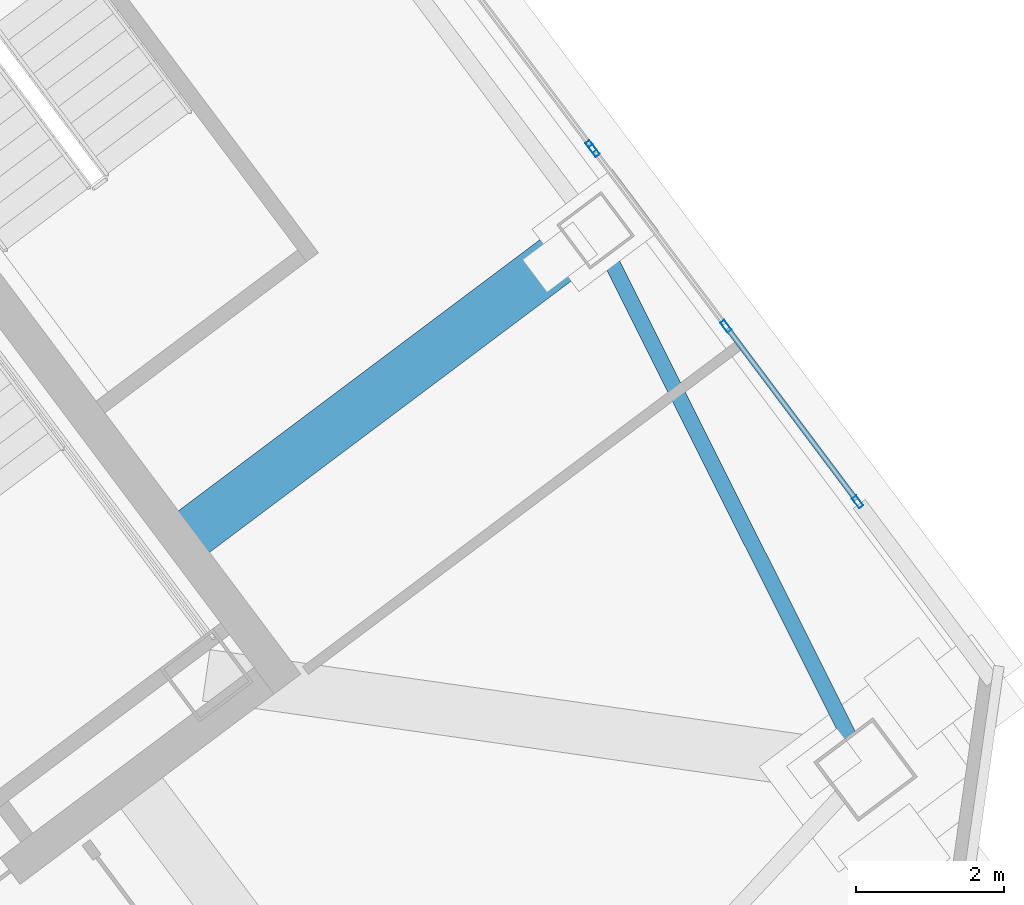
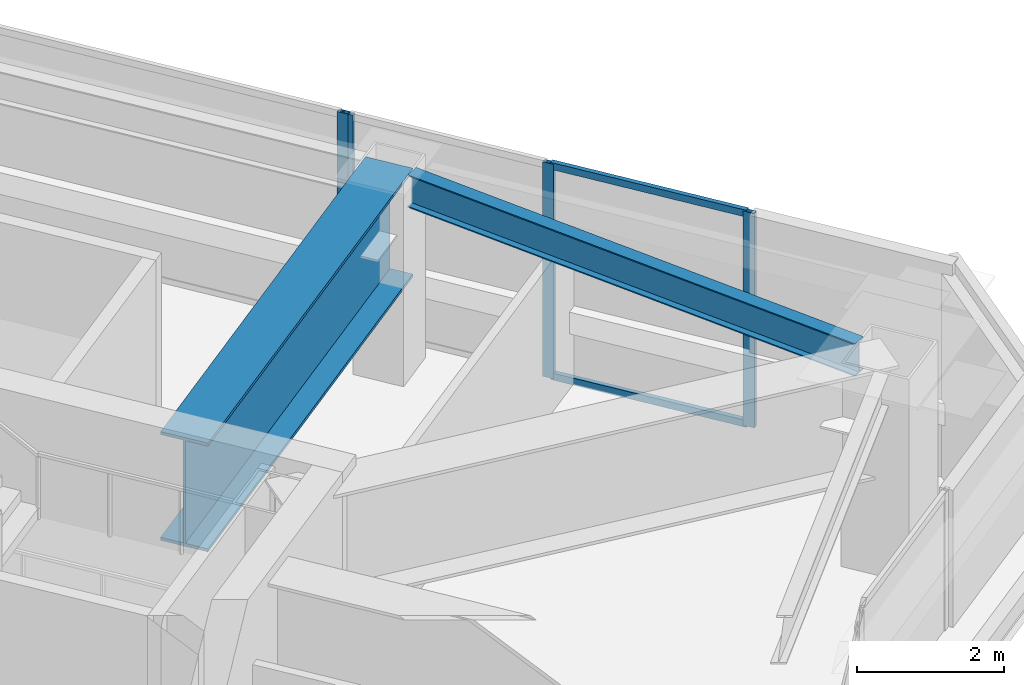
# One storey, part 24 of 40: 6 members, 2 beams, 2 elements without a shape of their own.
"""IFC4 building model written with IfcOpenShell, lengths in metres."""

import ifcopenshell
import ifcopenshell.guid

model = None  # the IFC model being written
_history = None  # IfcOwnerHistory: only IFC2X3 demands one
_inside = {}  # id of a spatial element -> (the spatial element, [elements in it])
_under = {}  # id of a project, library or spatial element -> (it, [spatial elements below it])
_declared = {}  # id of a project -> (the project, [libraries it declares])
_typed = {}  # id of a type object -> (the type object, [elements of that type])
_made_of = {}  # id of a material, layer set ... -> (it, [elements and type objects made of it])


def new_model(schema):
    """Start an empty IFC model of exactly this schema.

    Asked for "IFC4X3", IfcOpenShell would pick the latest addendum, in which some entities
    have other attributes; the version numbers below select the first issue.
    IFC2X3 requires an IfcOwnerHistory on every rooted entity: one is made here for all.
    """
    global model, _history
    if schema == "IFC4X3":
        model = ifcopenshell.file(schema_version=(4, 3, 0, 0))
    else:
        model = ifcopenshell.file(schema=schema)
    _inside.clear()
    _under.clear()
    _declared.clear()
    _typed.clear()
    _made_of.clear()
    _history = None
    if model.schema == "IFC2X3":
        org = make("IfcOrganization", Name="unknown")
        user = make(
            "IfcPersonAndOrganization",
            ThePerson=make("IfcPerson", FamilyName="unknown"),
            TheOrganization=org,
        )
        app = make(
            "IfcApplication",
            ApplicationDeveloper=org,
            Version="unknown",
            ApplicationFullName="unknown",
            ApplicationIdentifier="unknown",
        )
        _history = make(
            "IfcOwnerHistory",
            OwningUser=user,
            OwningApplication=app,
            ChangeAction="ADDED",
            CreationDate=0,
        )
    return model


def make(cls, **values):
    """One entity of the class cls with the attributes given. An attribute that is None is left unset."""
    return model.create_entity(
        cls, **{name: value for name, value in values.items() if value is not None}
    )


def rooted(cls, **values):
    """An entity with a GlobalId (a new one), such as an element, a storey or a relation."""
    return make(cls, GlobalId=ifcopenshell.guid.new(), OwnerHistory=_history, **values)


def si_unit(unit_type, name, prefix=None):
    """IfcSIUnit, for example si_unit("LENGTHUNIT", "METRE", prefix="MILLI")."""
    return make("IfcSIUnit", UnitType=unit_type, Prefix=prefix, Name=name)


def assignment(units):
    """IfcUnitAssignment: the units of a project."""
    return None if units is None else make("IfcUnitAssignment", Units=units)


def point(xyz):
    """IfcCartesianPoint."""
    return None if xyz is None else make("IfcCartesianPoint", Coordinates=xyz)


def direction(xyz):
    """IfcDirection."""
    return None if xyz is None else make("IfcDirection", DirectionRatios=xyz)


def frame(location, z_axis=None, x_axis=None):
    """IfcAxis2Placement3D, a coordinate frame: its origin and axes. An axis left out is left unset."""
    return make(
        "IfcAxis2Placement3D",
        Location=point(location),
        Axis=direction(z_axis),
        RefDirection=direction(x_axis),
    )


def frame_2d(location, x_axis=None):
    """IfcAxis2Placement2D, a coordinate frame in the plane: its origin and x axis."""
    return make(
        "IfcAxis2Placement2D", Location=point(location), RefDirection=direction(x_axis)
    )


def origin():
    """The frame at (0, 0, 0) with its axes left unset."""
    return frame((0.0, 0.0, 0.0))


def origin_2d():
    """The frame at (0, 0) in the plane with its x axis left unset."""
    return frame_2d((0.0, 0.0))


def place(relative_to, where):
    """IfcLocalPlacement: puts the frame where relative to a parent placement (None: the world)."""
    return make(
        "IfcLocalPlacement", PlacementRelTo=relative_to, RelativePlacement=where
    )


def context(
    kind, dimensions, precision=None, world=None, true_north=None, identifier=None
):
    """IfcGeometricRepresentationContext, for example the 3D "Model" context."""
    return make(
        "IfcGeometricRepresentationContext",
        ContextIdentifier=identifier,
        ContextType=kind,
        CoordinateSpaceDimension=dimensions,
        Precision=precision,
        WorldCoordinateSystem=world,
        TrueNorth=true_north,
    )


def subcontext(parent, identifier, kind, view, scale=None):
    """IfcGeometricRepresentationSubContext, for example "Body" below "Model"."""
    return make(
        "IfcGeometricRepresentationSubContext",
        ContextIdentifier=identifier,
        ContextType=kind,
        ParentContext=parent,
        TargetScale=scale,
        TargetView=view,
    )


def project(units=None, contexts=None):
    """IfcProject with its units and contexts."""
    return rooted(
        "IfcProject",
        Name="project",
        RepresentationContexts=contexts,
        UnitsInContext=assignment(units),
    )


def spatial(cls, under=None, at=None, **own):
    """A site, building, storey or space (cls), placed at a placement, below another one or the project."""
    s = rooted(cls, ObjectPlacement=at, **own)
    if under is not None:
        _under.setdefault(under.id(), (under, []))[1].append(s)
    return s


def profile(cls, at=None, kind="AREA", **sizes):
    """A parametric profile (cls). Its sizes go by their IFC names, for example OverallWidth=200.0."""
    return make(cls, ProfileType=kind, Position=at, **sizes)


def hollow_rectangle(**sizes):
    """IfcRectangleHollowProfileDef."""
    return profile("IfcRectangleHollowProfileDef", **sizes)


def i_section(**sizes):
    """IfcIShapeProfileDef."""
    return profile("IfcIShapeProfileDef", **sizes)


def extrude(swept, where, along, depth):
    """IfcExtrudedAreaSolid: the profile swept, set in the frame where, extruded along a direction by depth."""
    return make(
        "IfcExtrudedAreaSolid",
        SweptArea=swept,
        Position=where,
        ExtrudedDirection=direction(along),
        Depth=depth,
    )


def shape(context_of_items, identifier, shape_type, items):
    """IfcShapeRepresentation: the items that make up one representation, for example the "Body"."""
    return make(
        "IfcShapeRepresentation",
        ContextOfItems=context_of_items,
        RepresentationIdentifier=identifier,
        RepresentationType=shape_type,
        Items=items,
    )


def material(Name=None, Category=None):
    """IfcMaterial."""
    return make("IfcMaterial", Name=Name, Category=Category)


def material_profile(
    of_material, cross_section, Name=None, Category=None, Priority=None
):
    """IfcMaterialProfile: a cross section and its material."""
    return make(
        "IfcMaterialProfile",
        Name=Name,
        Material=of_material,
        Profile=cross_section,
        Priority=Priority,
        Category=Category,
    )


def profile_set(profiles, Name=None, composite=None):
    """IfcMaterialProfileSet."""
    return make(
        "IfcMaterialProfileSet",
        Name=Name,
        MaterialProfiles=profiles,
        CompositeProfile=composite,
    )


def made_of(thing, what):
    """Note that an element or type object is made of a material, layer set ...; save() writes the relation."""
    if what is not None:
        _made_of.setdefault(what.id(), (what, []))[1].append(thing)
    return thing


def type_object(cls, material=None, **own):
    """A type object (cls), such as IfcWallType, which elements share."""
    return made_of(rooted(cls, **own), material)


def element(
    cls,
    number,
    at=None,
    inside=None,
    cuts=None,
    type_object=None,
    material=None,
    context=None,
    identifier="Body",
    shape_type=None,
    held_by="IfcProductDefinitionShape",
    body=None,
    shapes=None,
    **own,
):
    """One element of the class cls, such as IfcWall. Its Tag is "e" and its number.

    at: its placement. inside: the storey or other place that contains it. cuts: it is an
    opening in that element (IfcRelVoidsElement). A single representation is given by context,
    identifier, shape_type and body (its items); several are given by shapes. held_by: the class
    of the entity that holds the representations. save() writes the other relations.
    """
    e = rooted(cls, Tag="e%d" % number, ObjectPlacement=at, **own)
    if body is not None:
        shapes = [shape(context, identifier, shape_type, body)]
    if shapes is not None:
        e.Representation = make(held_by, Representations=shapes)
    if inside is not None:
        _inside.setdefault(inside.id(), (inside, []))[1].append(e)
    if cuts is not None:
        rooted(
            "IfcRelVoidsElement", RelatingBuildingElement=cuts, RelatedOpeningElement=e
        )
    if type_object is not None:
        _typed.setdefault(type_object.id(), (type_object, []))[1].append(e)
    return made_of(e, material)


def aggregate(whole, parts):
    """IfcRelAggregates: a whole, such as a stair, and the parts it consists of."""
    return rooted("IfcRelAggregates", RelatingObject=whole, RelatedObjects=parts)


def save(model, path):
    """Write the relations noted so far, then the file.

    IfcRelAggregates (storeys below a building ...), IfcRelContainedInSpatialStructure (elements
    in a storey), IfcRelDefinesByType, IfcRelAssociatesMaterial and IfcRelDeclares: one each for
    every whole, place, type object, material and project.
    """
    for whole, parts in _under.values():
        aggregate(whole, parts)
    for where, things in _inside.values():
        rooted(
            "IfcRelContainedInSpatialStructure",
            RelatedElements=things,
            RelatingStructure=where,
        )
    for kind, things in _typed.values():
        rooted("IfcRelDefinesByType", RelatedObjects=things, RelatingType=kind)
    for what, things in _made_of.values():
        rooted("IfcRelAssociatesMaterial", RelatedObjects=things, RelatingMaterial=what)
    for by, libraries in _declared.values():
        rooted("IfcRelDeclares", RelatingContext=by, RelatedDefinitions=libraries)
    model.write(path)


model = new_model("IFC4")

# Units and contexts
model_context = context("Model", 3, precision=1e-05, world=origin(), true_north=direction((0.0, 1.0)))
body_context = subcontext(model_context, "Body", "Model", "MODEL_VIEW")
ifc_project = project(units=[si_unit("LENGTHUNIT", "METRE"), si_unit("AREAUNIT", "SQUARE_METRE"), si_unit("VOLUMEUNIT", "CUBIC_METRE"), si_unit("PLANEANGLEUNIT", "RADIAN"), si_unit("MASSUNIT", "GRAM", prefix="KILO")], contexts=[model_context])

# Site, building, storey
site_placement = place(None, origin())
site = spatial("IfcSite", under=ifc_project, at=site_placement, CompositionType="ELEMENT")
building_placement = place(site_placement, origin())
building = spatial("IfcBuilding", under=site, at=building_placement, Name="Tashvorn Skyway Center", CompositionType="ELEMENT")
storey_placement = place(building_placement, frame((0.0, 0.0, 229.050048828125)))
storey = spatial("IfcBuildingStorey", under=building, at=storey_placement, Name="L62", CompositionType="ELEMENT", Elevation=229.050048828125)

# Beams
ifc_material_1 = material(Name="Steel ASTM A572 Grade 50", Category="steel")
ifc_material_profile_1 = material_profile(ifc_material_1, i_section(OverallWidth=0.699951171875, OverallDepth=1.800048828125, WebThickness=0.031982421875, FlangeThickness=0.050048828125, at=origin_2d()), Name="PG1800x700")
ifc_profile_set_1 = profile_set([ifc_material_profile_1], Name="Steel ASTM A572 Grade 50")
beam_type_1 = type_object("IfcBeamType", Name="BM-BEAM-PG1800x700", PredefinedType="BEAM", material=ifc_profile_set_1)
beam_1_placement = place(storey_placement, frame((129.1201171875, 36.590087890625, 2.469970703125), z_axis=(-0.799987568546, -0.600016574915, 0.0), x_axis=(0.600016574915, -0.799987568546, 0.0)))
element("IfcBeam", 1, at=beam_1_placement, inside=storey, type_object=beam_type_1, Name="Tower 2 L62 Setback Transfer Girder FC-E1", PredefinedType="BEAM", context=body_context, shape_type="SweptSolid", body=[
    extrude(i_section(OverallWidth=0.699951171875, OverallDepth=1.800048828125, WebThickness=0.031982421875, FlangeThickness=0.050048828125, at=origin_2d()), origin(), (0.0, 0.0, 1.0), 7.070068359375),
])
ifc_material_2 = material(Name="Steel ASTM A992 Grade 50", Category="steel")
ifc_material_profile_2 = material_profile(ifc_material_2, i_section(OverallWidth=0.2109375, OverallDepth=0.5390625, WebThickness=0.01171875, FlangeThickness=0.018798828125, at=origin_2d()), Name="W21X73")
ifc_profile_set_2 = profile_set([ifc_material_profile_2], Name="Steel ASTM A992 Grade 50")
beam_type_2 = type_object("IfcBeamType", Name="BM-SPANDREL-W21X73", PredefinedType="SPANDREL", material=ifc_profile_set_2)
beam_2_placement = place(storey_placement, frame((132.538330078125, 29.7626953125, 3.100341796875), z_axis=(-0.447710870872, 0.894178380472, 0.0), x_axis=(-0.894178380472, -0.447710870872, 0.0)))
element("IfcBeam", 2, at=beam_2_placement, inside=storey, type_object=beam_type_2, Name="Tower 2 L62 Spandrel Beam 04", PredefinedType="SPANDREL", context=body_context, shape_type="SweptSolid", body=[
    extrude(i_section(OverallWidth=0.2109375, OverallDepth=0.5390625, WebThickness=0.01171875, FlangeThickness=0.018798828125, at=origin_2d()), origin(), (0.0, 0.0, 1.0), 7.26513671875),
])

# Curtain wall, member
ifc_material_3 = material(Name="Thermally broken bronze-anodized aluminium 6063-T6", Category="aluminium")
curtain_wall_type = type_object("IfcCurtainWallType", Name="CW-CW-Z5", PredefinedType="NOTDEFINED", material=ifc_material_3)
curtain_wall_1_placement = place(storey_placement, origin())
curtain_wall_1 = element("IfcCurtainWall", 3, at=curtain_wall_1_placement, inside=storey, type_object=curtain_wall_type, Name="Tower 2 L62 East Unitised Curtain Wall Glazing Group 2", PredefinedType="NOTDEFINED")
ifc_material_profile_3 = material_profile(ifc_material_3, hollow_rectangle(XDim=0.070068359375, YDim=0.1650390625, WallThickness=0.00390625, at=origin_2d()), Name="ALU-MULL-70x165")
ifc_profile_set_3 = profile_set([ifc_material_profile_3], Name="Thermally broken bronze-anodized aluminium 6063-T6")
member_type_1 = type_object("IfcMemberType", Name="CWM-CW-Z5", PredefinedType="MULLION", material=ifc_profile_set_3)
member_1_placement = place(storey_placement, frame((129.05908203125, 37.72119140625, 0.0), z_axis=(0.0, 0.0, 1.0), x_axis=(0.800002670596, 0.599996439189, 0.0)))
member_1 = element("IfcMember", 4, at=member_1_placement, type_object=member_type_1, Name="CW-Z5 mullion 2", PredefinedType="MULLION", context=body_context, shape_type="SweptSolid", body=[
    extrude(hollow_rectangle(XDim=0.070068359375, YDim=0.1650390625, WallThickness=0.00390625, at=origin_2d()), origin(), (0.0, 0.0, 1.0), 3.550048828125),
])
aggregate(curtain_wall_1, [member_1])

# Curtain wall, members
curtain_wall_2_placement = place(storey_placement, origin())
curtain_wall_2 = element("IfcCurtainWall", 5, at=curtain_wall_2_placement, inside=storey, type_object=curtain_wall_type, Name="Tower 2 L62 East Unitised Curtain Wall Glazing Group 3", PredefinedType="NOTDEFINED")
member_2_placement = place(storey_placement, frame((129.10107421875, 37.665283203125, 0.0), z_axis=(0.0, 0.0, 1.0), x_axis=(0.79999799704, 0.600002670604, 0.0)))
member_2 = element("IfcMember", 6, at=member_2_placement, type_object=member_type_1, Name="CW-Z5 mullion 1", PredefinedType="MULLION", context=body_context, shape_type="SweptSolid", body=[
    extrude(hollow_rectangle(XDim=0.070068359375, YDim=0.1650390625, WallThickness=0.00390625, at=origin_2d()), origin(), (0.0, 0.0, 1.0), 3.550048828125),
])
member_3_placement = place(storey_placement, frame((130.87744140625, 35.296875, 0.0), z_axis=(0.0, 0.0, 1.0), x_axis=(0.79999799704, 0.600002670604, 0.0)))
member_3 = element("IfcMember", 7, at=member_3_placement, type_object=member_type_1, Name="CW-Z5 mullion 2", PredefinedType="MULLION", context=body_context, shape_type="SweptSolid", body=[
    extrude(hollow_rectangle(XDim=0.070068359375, YDim=0.1650390625, WallThickness=0.00390625, at=origin_2d()), origin(), (0.0, 0.0, 1.0), 3.550048828125),
])
member_4_placement = place(storey_placement, frame((132.65380859375, 32.928466796875, 0.0), z_axis=(0.0, 0.0, 1.0), x_axis=(0.79999799704, 0.600002670604, 0.0)))
member_4 = element("IfcMember", 8, at=member_4_placement, type_object=member_type_1, Name="CW-Z5 mullion 3", PredefinedType="MULLION", context=body_context, shape_type="SweptSolid", body=[
    extrude(hollow_rectangle(XDim=0.070068359375, YDim=0.1650390625, WallThickness=0.00390625, at=origin_2d()), origin(), (0.0, 0.0, 1.0), 3.550048828125),
])
ifc_material_profile_4 = material_profile(ifc_material_3, hollow_rectangle(XDim=0.070068359375, YDim=0.114990234375, WallThickness=0.00390625, at=origin_2d()), Name="ALU-TRAN-70x115")
ifc_profile_set_4 = profile_set([ifc_material_profile_4], Name="Thermally broken bronze-anodized aluminium 6063-T6")
member_type_2 = type_object("IfcMemberType", Name="CWT-CW-Z5", PredefinedType="USERDEFINED", material=ifc_profile_set_4)
member_5_placement = place(storey_placement, frame((130.8984375, 35.268798828125, 0.034912109375), z_axis=(0.6, -0.8, 0.0), x_axis=(0.8, 0.6, 0.0)))
member_5 = element("IfcMember", 9, at=member_5_placement, type_object=member_type_2, Name="CW-Z5 transom 2.1", ObjectType="TRANSOM", PredefinedType="USERDEFINED", context=body_context, shape_type="SweptSolid", body=[
    extrude(hollow_rectangle(XDim=0.070068359375, YDim=0.114990234375, WallThickness=0.00390625, at=origin_2d()), origin(), (0.0, 0.0, 1.0), 2.890625),
])
member_6_placement = place(storey_placement, frame((130.8984375, 35.268798828125, 3.514892578125), z_axis=(0.6, -0.8, 0.0), x_axis=(0.8, 0.6, 0.0)))
member_6 = element("IfcMember", 10, at=member_6_placement, type_object=member_type_2, Name="CW-Z5 transom 2.2", ObjectType="TRANSOM", PredefinedType="USERDEFINED", context=body_context, shape_type="SweptSolid", body=[
    extrude(hollow_rectangle(XDim=0.070068359375, YDim=0.114990234375, WallThickness=0.00390625, at=origin_2d()), origin(), (0.0, 0.0, 1.0), 2.890625),
])
aggregate(curtain_wall_2, [member_2, member_3, member_4, member_5, member_6])

save(model, "model.ifc")
